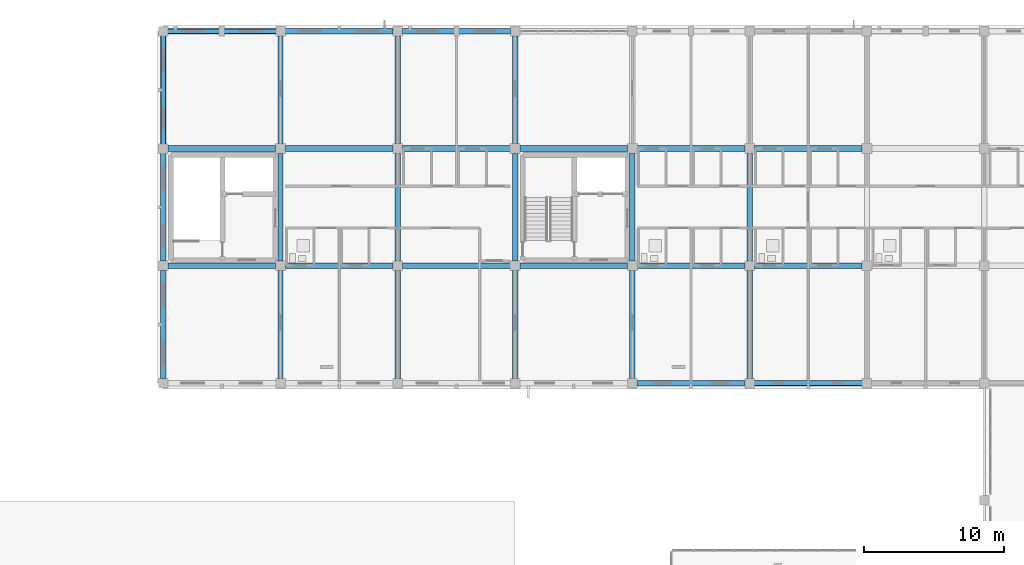
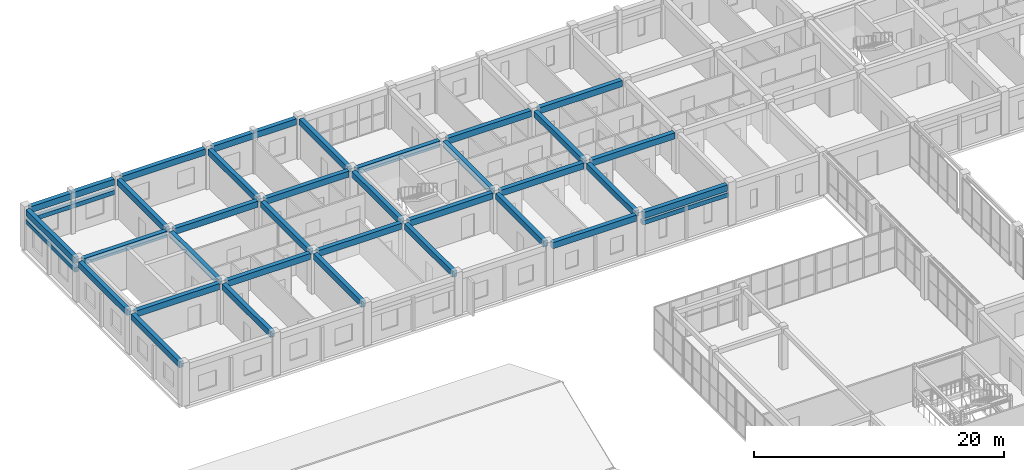
# One storey, part 55 of 140: 36 beams.
"""IFC4 building model written with IfcOpenShell, lengths in metres."""

from ifc_helpers import new_model, si_unit, direction, frame, origin, origin_2d, place, context, subcontext, project, spatial, rectangle, extrude, material, material_profile, profile_set, type_object, element, save


model = new_model("IFC4")

# Units and contexts
model_context = context("Model", 3, precision=1e-05, world=origin(), true_north=direction((0.0, 1.0)))
body_context = subcontext(model_context, "Body", "Model", "MODEL_VIEW")
ifc_project = project(units=[si_unit("LENGTHUNIT", "METRE"), si_unit("AREAUNIT", "SQUARE_METRE"), si_unit("VOLUMEUNIT", "CUBIC_METRE"), si_unit("PLANEANGLEUNIT", "RADIAN"), si_unit("MASSUNIT", "GRAM", prefix="KILO")], contexts=[model_context])

# Site, building, storey
site_placement = place(None, origin())
site = spatial("IfcSite", under=ifc_project, at=site_placement, CompositionType="ELEMENT")
building_placement = place(site_placement, origin())
building = spatial("IfcBuilding", under=site, at=building_placement, Name="Trelvath General Hospital", CompositionType="ELEMENT")
storey_placement = place(building_placement, frame((0.0, 0.0, 16.199951171875)))
storey = spatial("IfcBuildingStorey", under=building, at=storey_placement, Name="L04", CompositionType="ELEMENT", Elevation=16.199951171875)

# Beams
ifc_material_1 = material(Name="Concrete C35/45", Category="concrete")
ifc_material_profile_1 = material_profile(ifc_material_1, rectangle(XDim=0.3798828125, YDim=0.580078125, at=origin_2d()), Name="RCB380x580")
ifc_profile_set_1 = profile_set([ifc_material_profile_1], Name="Concrete C35/45")
beam_type_1 = type_object("IfcBeamType", Name="Beam RC380x580", PredefinedType="BEAM", material=ifc_profile_set_1)
for number, where, z_axis, x_axis, name in (
    (1, (16.800048828125, 92.735107421875, 3.630126953125), (0.0, 1.0, 0.0), (-1.0, 0.0, 0.0), "Grid Beam BY-402L"),
    (2, (16.800048828125, 101.135009765625, 3.630126953125), (0.0, 1.0, 0.0), (-1.0, 0.0, 0.0), "Grid Beam BY-402M"),
    (3, (16.800048828125, 109.534912109375, 3.630126953125), (0.0, 1.0, 0.0), (-1.0, 0.0, 0.0), "Grid Beam BY-402N"),
):
    element("IfcBeam", number, at=place(storey_placement, frame(where, z_axis=z_axis, x_axis=x_axis)), inside=storey, type_object=beam_type_1, Name=name, PredefinedType="BEAM", context=body_context, shape_type="SweptSolid", body=[
        extrude(rectangle(XDim=0.3798828125, YDim=0.580078125, at=origin_2d()), origin(), (0.0, 0.0, 1.0), 7.72998046875),
    ])
beam_1_placement = place(storey_placement, frame((25.199951171875, 92.735107421875, 3.630126953125), z_axis=(0.0, 1.0, 0.0), x_axis=(-1.0, 0.0, 0.0)))
element("IfcBeam", 4, at=beam_1_placement, inside=storey, type_object=beam_type_1, Name="Grid Beam BY-403L", PredefinedType="BEAM", context=body_context, shape_type="SweptSolid", body=[
    extrude(rectangle(XDim=0.3798828125, YDim=0.580078125, at=origin_2d()), origin(), (0.0, 0.0, 1.0), 7.719970703125),
])
beam_2_placement = place(storey_placement, frame((25.199951171875, 101.14501953125, 3.630126953125), z_axis=(0.0, 1.0, 0.0), x_axis=(-1.0, 0.0, 0.0)))
element("IfcBeam", 5, at=beam_2_placement, inside=storey, type_object=beam_type_1, Name="Grid Beam BY-403M", PredefinedType="BEAM", context=body_context, shape_type="SweptSolid", body=[
    extrude(rectangle(XDim=0.3798828125, YDim=0.580078125, at=origin_2d()), origin(), (0.0, 0.0, 1.0), 7.7099609375),
])
for number, where, z_axis, x_axis, name in (
    (6, (25.199951171875, 109.544921875, 3.630126953125), (0.0, 1.0, 0.0), (-1.0, 0.0, 0.0), "Grid Beam BY-403N"),
    (7, (33.60009765625, 92.735107421875, 3.630126953125), (0.0, 1.0, 0.0), (-1.0, 0.0, 0.0), "Grid Beam BY-404L"),
):
    element("IfcBeam", number, at=place(storey_placement, frame(where, z_axis=z_axis, x_axis=x_axis)), inside=storey, type_object=beam_type_1, Name=name, PredefinedType="BEAM", context=body_context, shape_type="SweptSolid", body=[
        extrude(rectangle(XDim=0.3798828125, YDim=0.580078125, at=origin_2d()), origin(), (0.0, 0.0, 1.0), 7.719970703125),
    ])
beam_3_placement = place(storey_placement, frame((33.60009765625, 101.14501953125, 3.630126953125), z_axis=(0.0, 1.0, 0.0), x_axis=(-1.0, 0.0, 0.0)))
element("IfcBeam", 8, at=beam_3_placement, inside=storey, type_object=beam_type_1, Name="Grid Beam BY-404M", PredefinedType="BEAM", context=body_context, shape_type="SweptSolid", body=[
    extrude(rectangle(XDim=0.3798828125, YDim=0.580078125, at=origin_2d()), origin(), (0.0, 0.0, 1.0), 7.7099609375),
])
for number, where, z_axis, x_axis, name in (
    (9, (33.60009765625, 109.544921875, 3.630126953125), (0.0, 1.0, 0.0), (-1.0, 0.0, 0.0), "Grid Beam BY-404N"),
    (10, (42.0, 92.735107421875, 3.630126953125), (0.0, 1.0, 0.0), (-1.0, 0.0, 0.0), "Grid Beam BY-405L"),
):
    element("IfcBeam", number, at=place(storey_placement, frame(where, z_axis=z_axis, x_axis=x_axis)), inside=storey, type_object=beam_type_1, Name=name, PredefinedType="BEAM", context=body_context, shape_type="SweptSolid", body=[
        extrude(rectangle(XDim=0.3798828125, YDim=0.580078125, at=origin_2d()), origin(), (0.0, 0.0, 1.0), 7.719970703125),
    ])
beam_4_placement = place(storey_placement, frame((42.0, 101.14501953125, 3.630126953125), z_axis=(0.0, 1.0, 0.0), x_axis=(-1.0, 0.0, 0.0)))
element("IfcBeam", 11, at=beam_4_placement, inside=storey, type_object=beam_type_1, Name="Grid Beam BY-405M", PredefinedType="BEAM", context=body_context, shape_type="SweptSolid", body=[
    extrude(rectangle(XDim=0.3798828125, YDim=0.580078125, at=origin_2d()), origin(), (0.0, 0.0, 1.0), 7.7099609375),
])
for number, where, z_axis, x_axis, name in (
    (12, (42.0, 109.544921875, 3.630126953125), (0.0, 1.0, 0.0), (-1.0, 0.0, 0.0), "Grid Beam BY-405N"),
    (13, (50.39990234375, 92.735107421875, 3.630126953125), (0.0, 1.0, 0.0), (-1.0, 0.0, 0.0), "Grid Beam BY-406L"),
):
    element("IfcBeam", number, at=place(storey_placement, frame(where, z_axis=z_axis, x_axis=x_axis)), inside=storey, type_object=beam_type_1, Name=name, PredefinedType="BEAM", context=body_context, shape_type="SweptSolid", body=[
        extrude(rectangle(XDim=0.3798828125, YDim=0.580078125, at=origin_2d()), origin(), (0.0, 0.0, 1.0), 7.719970703125),
    ])
beam_5_placement = place(storey_placement, frame((50.39990234375, 101.14501953125, 3.630126953125), z_axis=(0.0, 1.0, 0.0), x_axis=(-1.0, 0.0, 0.0)))
element("IfcBeam", 14, at=beam_5_placement, inside=storey, type_object=beam_type_1, Name="Grid Beam BY-406M", PredefinedType="BEAM", context=body_context, shape_type="SweptSolid", body=[
    extrude(rectangle(XDim=0.3798828125, YDim=0.580078125, at=origin_2d()), origin(), (0.0, 0.0, 1.0), 7.7099609375),
])
beam_6_placement = place(storey_placement, frame((58.800048828125, 92.735107421875, 3.630126953125), z_axis=(0.0, 1.0, 0.0), x_axis=(-1.0, 0.0, 0.0)))
element("IfcBeam", 15, at=beam_6_placement, inside=storey, type_object=beam_type_1, Name="Grid Beam BY-407L", PredefinedType="BEAM", context=body_context, shape_type="SweptSolid", body=[
    extrude(rectangle(XDim=0.3798828125, YDim=0.580078125, at=origin_2d()), origin(), (0.0, 0.0, 1.0), 7.719970703125),
])
beam_7_placement = place(storey_placement, frame((58.800048828125, 101.14501953125, 3.630126953125), z_axis=(0.0, 1.0, 0.0), x_axis=(-1.0, 0.0, 0.0)))
element("IfcBeam", 16, at=beam_7_placement, inside=storey, type_object=beam_type_1, Name="Grid Beam BY-407M", PredefinedType="BEAM", context=body_context, shape_type="SweptSolid", body=[
    extrude(rectangle(XDim=0.3798828125, YDim=0.580078125, at=origin_2d()), origin(), (0.0, 0.0, 1.0), 7.7099609375),
])
ifc_material_2 = material(Name="Concrete C35/45", Category="concrete")
ifc_material_profile_2 = material_profile(ifc_material_2, rectangle(XDim=0.39990234375, YDim=0.60009765625, at=origin_2d()), Name="RCB400x600")
ifc_profile_set_2 = profile_set([ifc_material_profile_2], Name="Concrete C35/45")
beam_type_2 = type_object("IfcBeamType", Name="Beam RC400x600", PredefinedType="BEAM", material=ifc_profile_set_2)
for number, where, z_axis, x_axis, name in (
    (17, (17.135009765625, 100.800048828125, 3.6201171875), (1.0, 0.0, 0.0), (0.0, 1.0, 0.0), "Grid Beam BX-402M"),
    (18, (17.135009765625, 109.199951171875, 3.6201171875), (1.0, 0.0, 0.0), (0.0, 1.0, 0.0), "Grid Beam BX-402N"),
):
    element("IfcBeam", number, at=place(storey_placement, frame(where, z_axis=z_axis, x_axis=x_axis)), inside=storey, type_object=beam_type_2, Name=name, PredefinedType="BEAM", context=body_context, shape_type="SweptSolid", body=[
        extrude(rectangle(XDim=0.39990234375, YDim=0.60009765625, at=origin_2d()), origin(), (0.0, 0.0, 1.0), 7.719970703125),
    ])
beam_8_placement = place(storey_placement, frame((17.135009765625, 117.60009765625, 3.6201171875), z_axis=(1.0, 0.0, 0.0), x_axis=(0.0, 1.0, 0.0)))
element("IfcBeam", 19, at=beam_8_placement, inside=storey, type_object=beam_type_2, Name="Grid Beam BX-402O", PredefinedType="BEAM", context=body_context, shape_type="SweptSolid", body=[
    extrude(rectangle(XDim=0.39990234375, YDim=0.60009765625, at=origin_2d()), origin(), (0.0, 0.0, 1.0), 7.72998046875),
])
for number, where, z_axis, x_axis, name in (
    (20, (25.544921875, 100.800048828125, 3.6201171875), (1.0, 0.0, 0.0), (0.0, 1.0, 0.0), "Grid Beam BX-403M"),
    (21, (25.544921875, 109.199951171875, 3.6201171875), (1.0, 0.0, 0.0), (0.0, 1.0, 0.0), "Grid Beam BX-403N"),
):
    element("IfcBeam", number, at=place(storey_placement, frame(where, z_axis=z_axis, x_axis=x_axis)), inside=storey, type_object=beam_type_2, Name=name, PredefinedType="BEAM", context=body_context, shape_type="SweptSolid", body=[
        extrude(rectangle(XDim=0.39990234375, YDim=0.60009765625, at=origin_2d()), origin(), (0.0, 0.0, 1.0), 7.7099609375),
    ])
beam_9_placement = place(storey_placement, frame((25.534912109375, 117.60009765625, 3.6201171875), z_axis=(1.0, 0.0, 0.0), x_axis=(0.0, 1.0, 0.0)))
element("IfcBeam", 22, at=beam_9_placement, inside=storey, type_object=beam_type_2, Name="Grid Beam BX-403O", PredefinedType="BEAM", context=body_context, shape_type="SweptSolid", body=[
    extrude(rectangle(XDim=0.39990234375, YDim=0.60009765625, at=origin_2d()), origin(), (0.0, 0.0, 1.0), 7.72998046875),
])
for number, where, z_axis, x_axis, name in (
    (23, (33.945068359375, 100.800048828125, 3.6201171875), (1.0, 0.0, 0.0), (0.0, 1.0, 0.0), "Grid Beam BX-404M"),
    (24, (33.945068359375, 109.199951171875, 3.6201171875), (1.0, 0.0, 0.0), (0.0, 1.0, 0.0), "Grid Beam BX-404N"),
):
    element("IfcBeam", number, at=place(storey_placement, frame(where, z_axis=z_axis, x_axis=x_axis)), inside=storey, type_object=beam_type_2, Name=name, PredefinedType="BEAM", context=body_context, shape_type="SweptSolid", body=[
        extrude(rectangle(XDim=0.39990234375, YDim=0.60009765625, at=origin_2d()), origin(), (0.0, 0.0, 1.0), 7.7099609375),
    ])
beam_10_placement = place(storey_placement, frame((33.93505859375, 117.60009765625, 3.6201171875), z_axis=(1.0, 0.0, 0.0), x_axis=(0.0, 1.0, 0.0)))
element("IfcBeam", 25, at=beam_10_placement, inside=storey, type_object=beam_type_2, Name="Grid Beam BX-404O", PredefinedType="BEAM", context=body_context, shape_type="SweptSolid", body=[
    extrude(rectangle(XDim=0.39990234375, YDim=0.60009765625, at=origin_2d()), origin(), (0.0, 0.0, 1.0), 7.72998046875),
])
for number, where, z_axis, x_axis, name in (
    (26, (42.344970703125, 100.800048828125, 3.6201171875), (1.0, 0.0, 0.0), (0.0, 1.0, 0.0), "Grid Beam BX-405M"),
    (27, (42.344970703125, 109.199951171875, 3.6201171875), (1.0, 0.0, 0.0), (0.0, 1.0, 0.0), "Grid Beam BX-405N"),
):
    element("IfcBeam", number, at=place(storey_placement, frame(where, z_axis=z_axis, x_axis=x_axis)), inside=storey, type_object=beam_type_2, Name=name, PredefinedType="BEAM", context=body_context, shape_type="SweptSolid", body=[
        extrude(rectangle(XDim=0.39990234375, YDim=0.60009765625, at=origin_2d()), origin(), (0.0, 0.0, 1.0), 7.7099609375),
    ])
beam_11_placement = place(storey_placement, frame((50.735107421875, 92.39990234375, 3.6201171875), z_axis=(1.0, 0.0, 0.0), x_axis=(0.0, 1.0, 0.0)))
element("IfcBeam", 28, at=beam_11_placement, inside=storey, type_object=beam_type_2, Name="Grid Beam BX-406L", PredefinedType="BEAM", context=body_context, shape_type="SweptSolid", body=[
    extrude(rectangle(XDim=0.39990234375, YDim=0.60009765625, at=origin_2d()), origin(), (0.0, 0.0, 1.0), 7.72998046875),
])
for number, where, z_axis, x_axis, name in (
    (29, (50.7451171875, 100.800048828125, 3.6201171875), (1.0, 0.0, 0.0), (0.0, 1.0, 0.0), "Grid Beam BX-406M"),
    (30, (50.7451171875, 109.199951171875, 3.6201171875), (1.0, 0.0, 0.0), (0.0, 1.0, 0.0), "Grid Beam BX-406N"),
):
    element("IfcBeam", number, at=place(storey_placement, frame(where, z_axis=z_axis, x_axis=x_axis)), inside=storey, type_object=beam_type_2, Name=name, PredefinedType="BEAM", context=body_context, shape_type="SweptSolid", body=[
        extrude(rectangle(XDim=0.39990234375, YDim=0.60009765625, at=origin_2d()), origin(), (0.0, 0.0, 1.0), 7.7099609375),
    ])
beam_12_placement = place(storey_placement, frame((59.135009765625, 92.39990234375, 3.6201171875), z_axis=(1.0, 0.0, 0.0), x_axis=(0.0, 1.0, 0.0)))
element("IfcBeam", 31, at=beam_12_placement, inside=storey, type_object=beam_type_2, Name="Grid Beam BX-407L", PredefinedType="BEAM", context=body_context, shape_type="SweptSolid", body=[
    extrude(rectangle(XDim=0.39990234375, YDim=0.60009765625, at=origin_2d()), origin(), (0.0, 0.0, 1.0), 7.72998046875),
])
for number, where, z_axis, x_axis, name in (
    (32, (59.14501953125, 100.800048828125, 3.6201171875), (1.0, 0.0, 0.0), (0.0, 1.0, 0.0), "Grid Beam BX-407M"),
    (33, (59.14501953125, 109.199951171875, 3.6201171875), (1.0, 0.0, 0.0), (0.0, 1.0, 0.0), "Grid Beam BX-407N"),
):
    element("IfcBeam", number, at=place(storey_placement, frame(where, z_axis=z_axis, x_axis=x_axis)), inside=storey, type_object=beam_type_2, Name=name, PredefinedType="BEAM", context=body_context, shape_type="SweptSolid", body=[
        extrude(rectangle(XDim=0.39990234375, YDim=0.60009765625, at=origin_2d()), origin(), (0.0, 0.0, 1.0), 7.7099609375),
    ])
ifc_material_3 = material(Name="Precast concrete C40/50", Category="concrete")
ifc_material_profile_3 = material_profile(ifc_material_3, rectangle(XDim=0.35009765625, YDim=0.419921875, at=origin_2d()), Name="PCL350x420")
ifc_profile_set_3 = profile_set([ifc_material_profile_3], Name="Precast concrete C40/50")
beam_type_3 = type_object("IfcBeamType", Name="Lintel PC350x420", PredefinedType="LINTEL", material=ifc_profile_set_3)
beam_13_placement = place(storey_placement, frame((17.054931640625, 117.60009765625, 2.590087890625), z_axis=(1.0, 0.0, 0.0), x_axis=(0.0, 1.0, 0.0)))
element("IfcBeam", 34, at=beam_13_placement, inside=storey, type_object=beam_type_3, Name="Precast Window Brow Lintel L04-428", PredefinedType="LINTEL", context=body_context, shape_type="SweptSolid", body=[
    extrude(rectangle(XDim=0.35009765625, YDim=0.419921875, at=origin_2d()), origin(), (0.0, 0.0, 1.0), 7.89013671875),
])
beam_14_placement = place(storey_placement, frame((16.800048828125, 109.455078125, 2.719970703125), z_axis=(0.0, 1.0, 0.0), x_axis=(-1.0, 0.0, 0.0)))
element("IfcBeam", 35, at=beam_14_placement, inside=storey, type_object=beam_type_3, Name="Precast Window Brow Lintel L04-429", PredefinedType="LINTEL", context=body_context, shape_type="SweptSolid", body=[
    extrude(rectangle(XDim=0.35009765625, YDim=0.419921875, at=origin_2d()), origin(), (0.0, 0.0, 1.0), 7.889892578125),
])
beam_15_placement = place(storey_placement, frame((66.945068359375, 92.39990234375, 2.920166015625), z_axis=(-1.0, 0.0, 0.0), x_axis=(0.0, -1.0, 0.0)))
element("IfcBeam", 36, at=beam_15_placement, inside=storey, type_object=beam_type_3, Name="Precast Window Brow Lintel L04-446", PredefinedType="LINTEL", context=body_context, shape_type="SweptSolid", body=[
    extrude(rectangle(XDim=0.35009765625, YDim=0.419921875, at=origin_2d()), origin(), (0.0, 0.0, 1.0), 7.89013671875),
])

save(model, "model.ifc")
